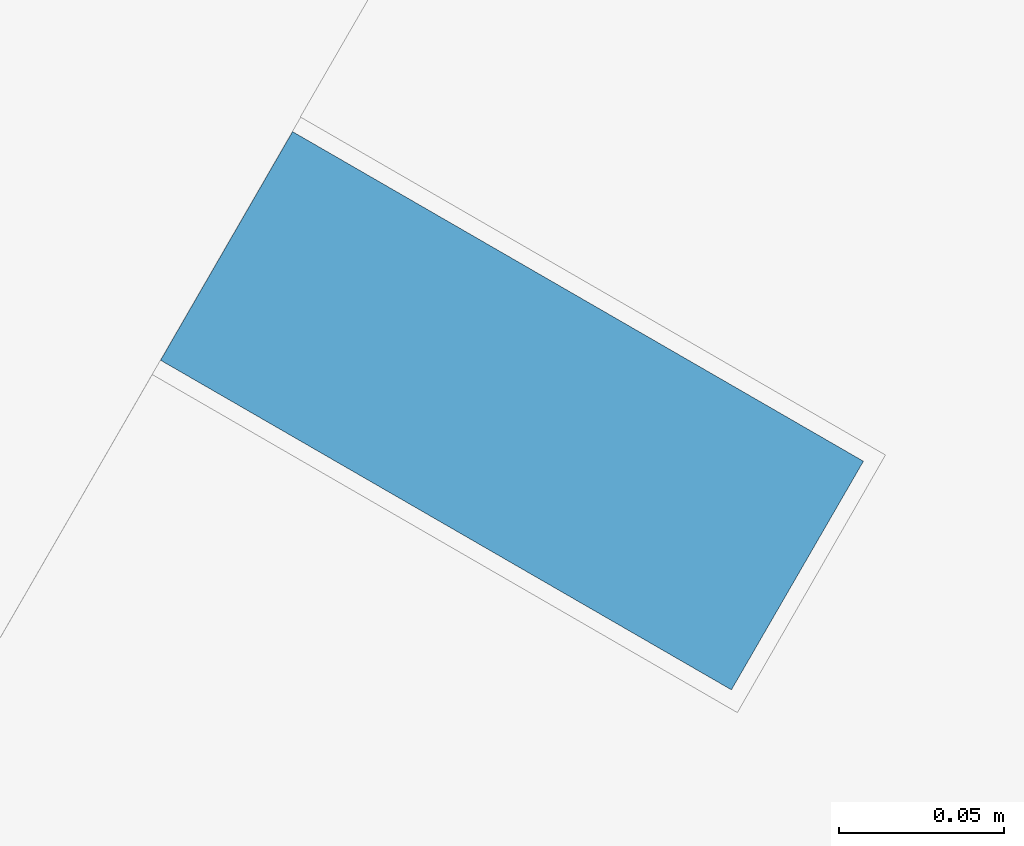
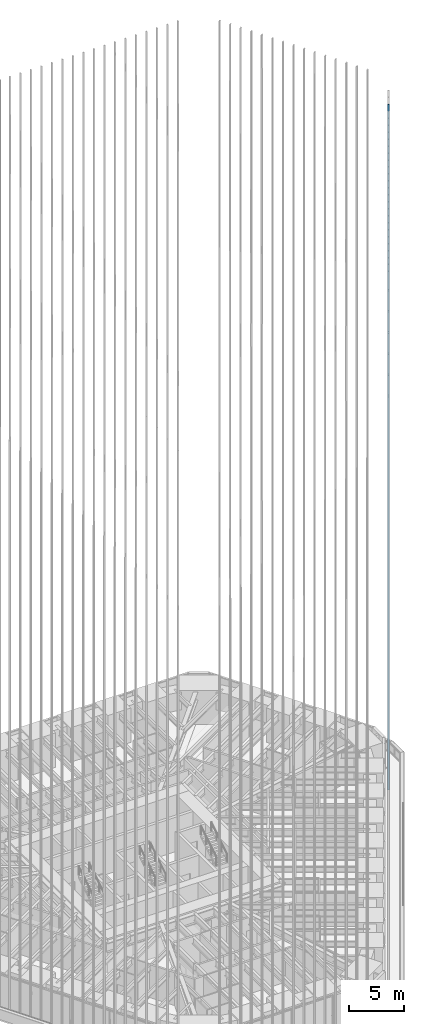
# One storey, part 176 of 238: 1 member, 1 element without a shape of its own.
"""IFC4 building model written with IfcOpenShell, lengths in metres."""

from ifc_helpers import new_model, si_unit, direction, frame, origin, origin_2d, place, context, subcontext, project, spatial, rectangle, extrude, material, material_profile, profile_set, type_object, element, aggregate, save


model = new_model("IFC4")

# Units and contexts
model_context = context("Model", 3, precision=1e-05, world=origin(), true_north=direction((0.0, 1.0)))
body_context = subcontext(model_context, "Body", "Model", "MODEL_VIEW")
ifc_project = project(units=[si_unit("LENGTHUNIT", "METRE"), si_unit("AREAUNIT", "SQUARE_METRE"), si_unit("VOLUMEUNIT", "CUBIC_METRE"), si_unit("PLANEANGLEUNIT", "RADIAN"), si_unit("MASSUNIT", "GRAM", prefix="KILO")], contexts=[model_context])

# Site, building, storey
site_placement = place(None, origin())
site = spatial("IfcSite", under=ifc_project, at=site_placement, CompositionType="ELEMENT")
building_placement = place(site_placement, origin())
building = spatial("IfcBuilding", under=site, at=building_placement, Name="Sandreach Pilgrim Tower", CompositionType="ELEMENT")
storey_placement = place(building_placement, frame((0.0, 0.0, 96.800048828125)))
storey = spatial("IfcBuildingStorey", under=building, at=storey_placement, Name="L23", CompositionType="ELEMENT", Elevation=96.800048828125)

# Curtain wall, member
ifc_material_1 = material(Name="Aluminium framed curtain wall", Category="aluminium")
curtain_wall_type = type_object("IfcCurtainWallType", Name="Hotel tower curtain wall", PredefinedType="NOTDEFINED", material=ifc_material_1)
curtain_wall_placement = place(storey_placement, origin())
curtain_wall = element("IfcCurtainWall", 1, at=curtain_wall_placement, inside=storey, type_object=curtain_wall_type, Name="CW-2 L23 SE", PredefinedType="NOTDEFINED")
ifc_material_2 = material(Name="Extruded terracotta on aluminium core", Category="masonry")
ifc_material_profile = material_profile(ifc_material_2, rectangle(XDim=0.080078125, YDim=0.199951171875, at=origin_2d()), Name="TBE 80X200")
ifc_profile_set = profile_set([ifc_material_profile], Name="Extruded terracotta on aluminium core")
member_type = type_object("IfcMemberType", Name="Terracotta baguette east", PredefinedType="USERDEFINED", material=ifc_profile_set)
member_placement = place(storey_placement, frame((27.53173828125, 1.898681640625, 0.0), z_axis=(0.0, 0.0, 1.0), x_axis=(-0.5, -0.866025403784, 0.0)))
member = element("IfcMember", 2, at=member_placement, type_object=member_type, Name="Baguette Z2 SE03", ObjectType="BAGUETTE", PredefinedType="USERDEFINED", context=body_context, shape_type="SweptSolid", body=[
    extrude(rectangle(XDim=0.080078125, YDim=0.199951171875, at=origin_2d()), origin(), (0.0, 0.0, 1.0), 75.83984375),
])
aggregate(curtain_wall, [member])

save(model, "model.ifc")
